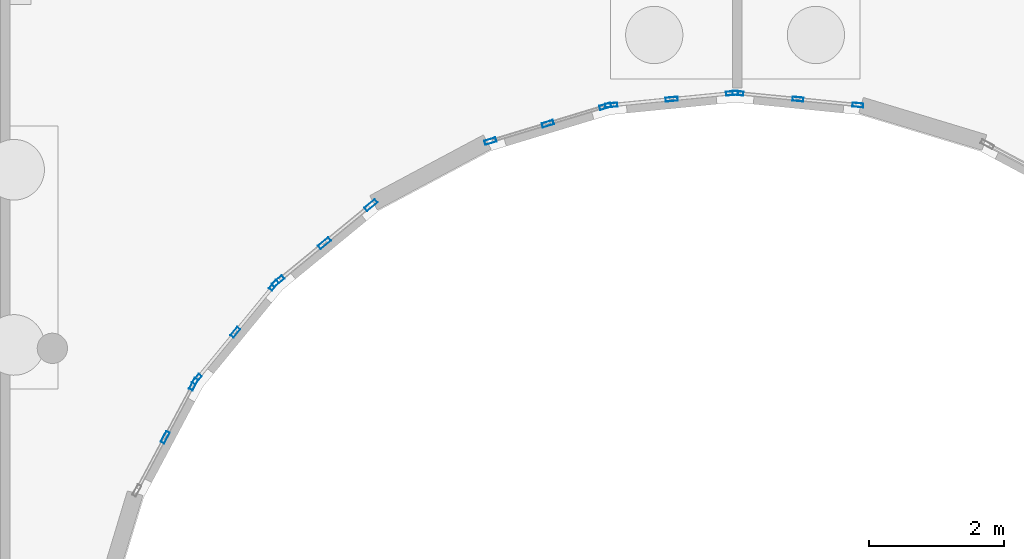
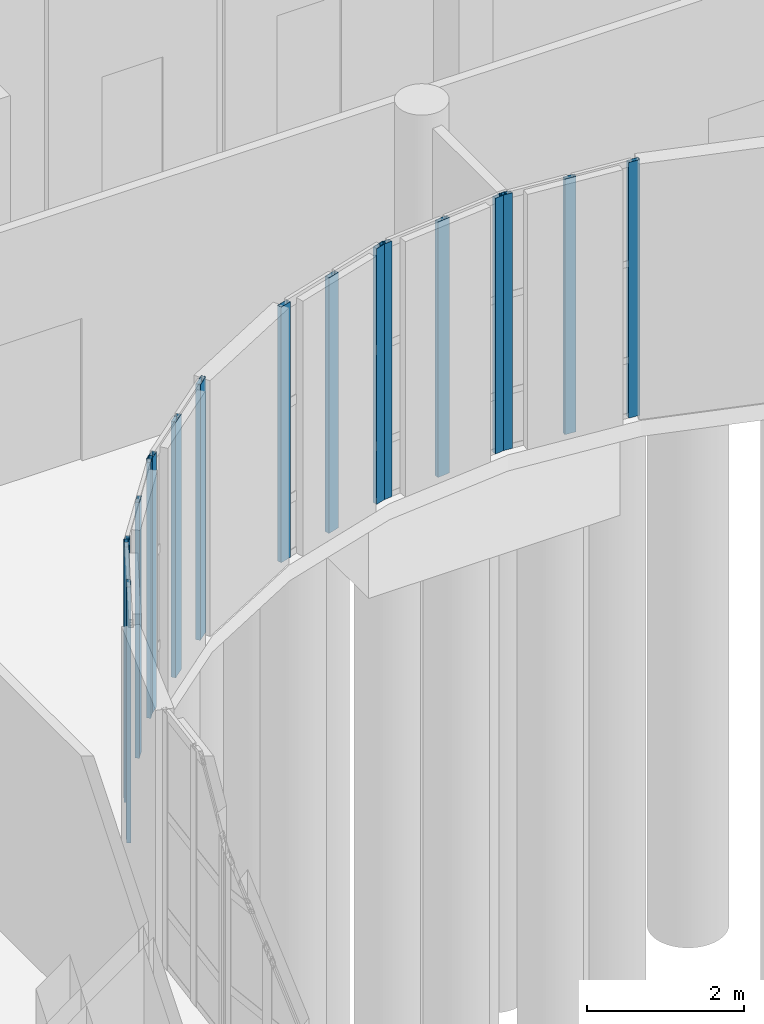
# One storey, part 37 of 93: 17 members, 6 elements without a shape of their own.
"""IFC4 building model written with IfcOpenShell, lengths in metres."""

from ifc_helpers import new_model, si_unit, direction, frame, origin, origin_2d, place, context, subcontext, project, spatial, hollow_rectangle, extrude, material, layer, layer_set, material_profile, profile_set, type_object, element, aggregate, save


model = new_model("IFC4")

# Units and contexts
model_context = context("Model", 3, precision=1e-05, world=origin(), true_north=direction((0.0, 1.0)))
body_context = subcontext(model_context, "Body", "Model", "MODEL_VIEW")
ifc_project = project(units=[si_unit("LENGTHUNIT", "METRE"), si_unit("AREAUNIT", "SQUARE_METRE"), si_unit("VOLUMEUNIT", "CUBIC_METRE"), si_unit("PLANEANGLEUNIT", "RADIAN"), si_unit("MASSUNIT", "GRAM", prefix="KILO")], contexts=[model_context])

# Site, building, storey
site_placement = place(None, origin())
site = spatial("IfcSite", under=ifc_project, at=site_placement, CompositionType="ELEMENT")
building_placement = place(site_placement, origin())
building = spatial("IfcBuilding", under=site, at=building_placement, Name="Kelanivale Promenade Academy", CompositionType="ELEMENT")
storey_placement = place(building_placement, origin())
storey = spatial("IfcBuildingStorey", under=building, at=storey_placement, Name="L00", CompositionType="ELEMENT", Elevation=0.0)

# Curtain wall, members
ifc_material_1 = material(Name="Bronze anodised aluminium and solar-control low-E glass", Category="aluminium")
ifc_layer_1 = layer(ifc_material_1, 0.179931640625)
ifc_layer_set_1 = layer_set([ifc_layer_1], Name="Bronze anodised aluminium and solar-control low-E glass")
curtain_wall_type_1 = type_object("IfcCurtainWallType", Name="CW-05 Curtain Wall 1950mm Module", PredefinedType="USERDEFINED", material=ifc_layer_set_1)
curtain_wall_1_placement = place(storey_placement, origin())
curtain_wall_1 = element("IfcCurtainWall", 1, at=curtain_wall_1_placement, inside=storey, type_object=curtain_wall_type_1, Name="L00 courtyard curtain wall CW-05", ObjectType="UNITISED GLAZING", PredefinedType="USERDEFINED")
ifc_material_2 = material(Name="Bronze anodised aluminium EN AW-6063 T6", Category="aluminium")
ifc_material_profile_1 = material_profile(ifc_material_2, hollow_rectangle(XDim=0.06005859375, YDim=0.159912109375, WallThickness=0.00390625, at=origin_2d()), Name="ALU 60x160x4.0")
ifc_profile_set_1 = profile_set([ifc_material_profile_1], Name="Bronze anodised aluminium EN AW-6063 T6")
member_type_1 = type_object("IfcMemberType", Name="CWM-01 ALU 60x160x4.0", PredefinedType="MULLION", material=ifc_profile_set_1)
member_1_placement = place(storey_placement, frame((100.6220703125, 66.260009765625, 0.0), z_axis=(0.0, 0.0, 1.0), x_axis=(-0.098538762159, -0.99513321337, 0.0)))
member_1 = element("IfcMember", 2, at=member_1_placement, type_object=member_type_1, Name="CW-05 mullion 1", PredefinedType="MULLION", context=body_context, shape_type="SweptSolid", body=[
    extrude(hollow_rectangle(XDim=0.06005859375, YDim=0.159912109375, WallThickness=0.00390625, at=origin_2d()), origin(), (0.0, 0.0, 1.0), 3.97998046875),
])
member_2_placement = place(storey_placement, frame((99.73291015625, 66.347900390625, 0.0), z_axis=(0.0, 0.0, 1.0), x_axis=(-0.098538762159, -0.99513321337, 0.0)))
member_2 = element("IfcMember", 3, at=member_2_placement, type_object=member_type_1, Name="CW-05 mullion 2", PredefinedType="MULLION", context=body_context, shape_type="SweptSolid", body=[
    extrude(hollow_rectangle(XDim=0.06005859375, YDim=0.159912109375, WallThickness=0.00390625, at=origin_2d()), origin(), (0.0, 0.0, 1.0), 3.97998046875),
])
member_3_placement = place(storey_placement, frame((98.84375, 66.43603515625, 0.0), z_axis=(0.0, 0.0, 1.0), x_axis=(-0.098538762159, -0.99513321337, 0.0)))
member_3 = element("IfcMember", 4, at=member_3_placement, type_object=member_type_1, Name="CW-05 mullion 3", PredefinedType="MULLION", context=body_context, shape_type="SweptSolid", body=[
    extrude(hollow_rectangle(XDim=0.06005859375, YDim=0.159912109375, WallThickness=0.00390625, at=origin_2d()), origin(), (0.0, 0.0, 1.0), 3.97998046875),
])
aggregate(curtain_wall_1, [member_1, member_2, member_3])

ifc_layer_2 = layer(ifc_material_1, 0.159912109375)
ifc_layer_set_2 = layer_set([ifc_layer_2], Name="Bronze anodised aluminium and solar-control low-E glass")
curtain_wall_type_2 = type_object("IfcCurtainWallType", Name="CW-09 Curtain Wall 1650mm Module", PredefinedType="USERDEFINED", material=ifc_layer_set_2)
curtain_wall_2_placement = place(storey_placement, origin())
curtain_wall_2 = element("IfcCurtainWall", 5, at=curtain_wall_2_placement, inside=storey, type_object=curtain_wall_type_2, Name="L00 courtyard curtain wall CW-09", ObjectType="UNITISED GLAZING", PredefinedType="USERDEFINED")
member_4_placement = place(storey_placement, frame((91.955078125, 63.583740234375, 0.0), z_axis=(0.0, 0.0, 1.0), x_axis=(0.773215132597, -0.634143799719, 0.0)))
member_4 = element("IfcMember", 6, at=member_4_placement, type_object=member_type_1, Name="CW-09 mullion 1", PredefinedType="MULLION", context=body_context, shape_type="SweptSolid", body=[
    extrude(hollow_rectangle(XDim=0.06005859375, YDim=0.159912109375, WallThickness=0.00390625, at=origin_2d()), origin(), (0.0, 0.0, 1.0), 3.97998046875),
])
member_5_placement = place(storey_placement, frame((91.383544921875, 62.886962890625, 0.0), z_axis=(0.0, 0.0, 1.0), x_axis=(0.773215132597, -0.634143799719, 0.0)))
member_5 = element("IfcMember", 7, at=member_5_placement, type_object=member_type_1, Name="CW-09 mullion 2", PredefinedType="MULLION", context=body_context, shape_type="SweptSolid", body=[
    extrude(hollow_rectangle(XDim=0.06005859375, YDim=0.159912109375, WallThickness=0.00390625, at=origin_2d()), origin(), (0.0, 0.0, 1.0), 3.97998046875),
])
member_6_placement = place(storey_placement, frame((90.81201171875, 62.190185546875, 0.0), z_axis=(0.0, 0.0, 1.0), x_axis=(0.773215132597, -0.634143799719, 0.0)))
member_6 = element("IfcMember", 8, at=member_6_placement, type_object=member_type_1, Name="CW-09 mullion 3", PredefinedType="MULLION", context=body_context, shape_type="SweptSolid", body=[
    extrude(hollow_rectangle(XDim=0.06005859375, YDim=0.159912109375, WallThickness=0.00390625, at=origin_2d()), origin(), (0.0, 0.0, 1.0), 3.97998046875),
])
aggregate(curtain_wall_2, [member_4, member_5, member_6])

ifc_layer_3 = layer(ifc_material_1, 0.159912109375)
ifc_layer_set_3 = layer_set([ifc_layer_3], Name="Bronze anodised aluminium and solar-control low-E glass")
curtain_wall_type_3 = type_object("IfcCurtainWallType", Name="CW-06 Curtain Wall 1200mm Module", PredefinedType="USERDEFINED", material=ifc_layer_set_3)
curtain_wall_3_placement = place(storey_placement, origin())
curtain_wall_3 = element("IfcCurtainWall", 9, at=curtain_wall_3_placement, inside=storey, type_object=curtain_wall_type_3, Name="L00 courtyard curtain wall CW-06", ObjectType="UNITISED GLAZING", PredefinedType="USERDEFINED")
ifc_material_profile_2 = material_profile(ifc_material_2, hollow_rectangle(XDim=0.06005859375, YDim=0.179931640625, WallThickness=0.00390625, at=origin_2d()), Name="ALU 60x180x4.0")
ifc_profile_set_2 = profile_set([ifc_material_profile_2], Name="Bronze anodised aluminium EN AW-6063 T6")
member_type_2 = type_object("IfcMemberType", Name="CWM-02 ALU 60x180x4.0", PredefinedType="MULLION", material=ifc_profile_set_2)
member_7_placement = place(storey_placement, frame((98.756103515625, 66.43603515625, 0.0), z_axis=(0.0, 0.0, 1.0), x_axis=(0.098280652454, -0.995158737767, 0.0)))
member_7 = element("IfcMember", 10, at=member_7_placement, type_object=member_type_2, Name="CW-06 mullion 1", PredefinedType="MULLION", context=body_context, shape_type="SweptSolid", body=[
    extrude(hollow_rectangle(XDim=0.06005859375, YDim=0.179931640625, WallThickness=0.00390625, at=origin_2d()), origin(), (0.0, 0.0, 1.0), 3.97998046875),
])
member_8_placement = place(storey_placement, frame((97.859619140625, 66.347412109375, 0.0), z_axis=(0.0, 0.0, 1.0), x_axis=(0.098280652454, -0.995158737767, 0.0)))
member_8 = element("IfcMember", 11, at=member_8_placement, type_object=member_type_2, Name="CW-06 mullion 2", PredefinedType="MULLION", context=body_context, shape_type="SweptSolid", body=[
    extrude(hollow_rectangle(XDim=0.06005859375, YDim=0.179931640625, WallThickness=0.00390625, at=origin_2d()), origin(), (0.0, 0.0, 1.0), 3.97998046875),
])
member_9_placement = place(storey_placement, frame((96.962890625, 66.259033203125, 0.0), z_axis=(0.0, 0.0, 1.0), x_axis=(0.098280652454, -0.995158737767, 0.0)))
member_9 = element("IfcMember", 12, at=member_9_placement, type_object=member_type_2, Name="CW-06 mullion 3", PredefinedType="MULLION", context=body_context, shape_type="SweptSolid", body=[
    extrude(hollow_rectangle(XDim=0.06005859375, YDim=0.179931640625, WallThickness=0.00390625, at=origin_2d()), origin(), (0.0, 0.0, 1.0), 3.97998046875),
])
aggregate(curtain_wall_3, [member_7, member_8, member_9])

ifc_layer_4 = layer(ifc_material_1, 0.169921875)
ifc_layer_set_4 = layer_set([ifc_layer_4], Name="Bronze anodised aluminium and solar-control low-E glass")
curtain_wall_type_4 = type_object("IfcCurtainWallType", Name="CW-10 Curtain Wall 1800mm Module", PredefinedType="USERDEFINED", material=ifc_layer_set_4)
curtain_wall_4_placement = place(storey_placement, origin())
curtain_wall_4 = element("IfcCurtainWall", 13, at=curtain_wall_4_placement, inside=storey, type_object=curtain_wall_type_4, Name="L00 courtyard curtain wall CW-10", ObjectType="UNITISED GLAZING", PredefinedType="USERDEFINED")
member_10_placement = place(storey_placement, frame((90.763916015625, 62.117431640625, 0.0), z_axis=(0.0, 0.0, 1.0), x_axis=(0.881978204448, -0.471290193914, 0.0)))
member_10 = element("IfcMember", 14, at=member_10_placement, type_object=member_type_2, Name="CW-10 mullion 1", PredefinedType="MULLION", context=body_context, shape_type="SweptSolid", body=[
    extrude(hollow_rectangle(XDim=0.06005859375, YDim=0.179931640625, WallThickness=0.00390625, at=origin_2d()), origin(), (0.0, 0.0, 1.0), 3.97998046875),
])
member_11_placement = place(storey_placement, frame((90.342529296875, 61.3291015625, 0.0), z_axis=(0.0, 0.0, 1.0), x_axis=(0.881978204448, -0.471290193914, 0.0)))
member_11 = element("IfcMember", 15, at=member_11_placement, type_object=member_type_2, Name="CW-10 mullion 2", PredefinedType="MULLION", context=body_context, shape_type="SweptSolid", body=[
    extrude(hollow_rectangle(XDim=0.06005859375, YDim=0.179931640625, WallThickness=0.00390625, at=origin_2d()), origin(), (0.0, 0.0, 1.0), 3.97998046875),
])
aggregate(curtain_wall_4, [member_10, member_11])

ifc_layer_5 = layer(ifc_material_1, 0.169921875)
ifc_layer_set_5 = layer_set([ifc_layer_5], Name="Bronze anodised aluminium and solar-control low-E glass")
curtain_wall_type_5 = type_object("IfcCurtainWallType", Name="CW-07 Curtain Wall 1350mm Module", PredefinedType="USERDEFINED", material=ifc_layer_set_5)
curtain_wall_5_placement = place(storey_placement, origin())
curtain_wall_5 = element("IfcCurtainWall", 16, at=curtain_wall_5_placement, inside=storey, type_object=curtain_wall_type_5, Name="L00 courtyard curtain wall CW-07", ObjectType="UNITISED GLAZING", PredefinedType="USERDEFINED")
ifc_material_profile_3 = material_profile(ifc_material_2, hollow_rectangle(XDim=0.06494140625, YDim=0.175048828125, WallThickness=0.00390625, at=origin_2d()), Name="ALU 65x175x4.0")
ifc_profile_set_3 = profile_set([ifc_material_profile_3], Name="Bronze anodised aluminium EN AW-6063 T6")
member_type_3 = type_object("IfcMemberType", Name="CWM-03 ALU 65x175x4.0", PredefinedType="MULLION", material=ifc_profile_set_3)
member_12_placement = place(storey_placement, frame((96.875, 66.241455078125, 0.0), z_axis=(0.0, 0.0, 1.0), x_axis=(0.290127576893, -0.956987977524, 0.0)))
member_12 = element("IfcMember", 17, at=member_12_placement, type_object=member_type_3, Name="CW-07 mullion 1", PredefinedType="MULLION", context=body_context, shape_type="SweptSolid", body=[
    extrude(hollow_rectangle(XDim=0.06494140625, YDim=0.175048828125, WallThickness=0.00390625, at=origin_2d()), origin(), (0.0, 0.0, 1.0), 3.97998046875),
])
member_13_placement = place(storey_placement, frame((96.02197265625, 65.98291015625, 0.0), z_axis=(0.0, 0.0, 1.0), x_axis=(0.290127576893, -0.956987977524, 0.0)))
member_13 = element("IfcMember", 18, at=member_13_placement, type_object=member_type_3, Name="CW-07 mullion 2", PredefinedType="MULLION", context=body_context, shape_type="SweptSolid", body=[
    extrude(hollow_rectangle(XDim=0.06494140625, YDim=0.175048828125, WallThickness=0.00390625, at=origin_2d()), origin(), (0.0, 0.0, 1.0), 3.97998046875),
])
member_14_placement = place(storey_placement, frame((95.169189453125, 65.724365234375, 0.0), z_axis=(0.0, 0.0, 1.0), x_axis=(0.290127576893, -0.956987977524, 0.0)))
member_14 = element("IfcMember", 19, at=member_14_placement, type_object=member_type_3, Name="CW-07 mullion 3", PredefinedType="MULLION", context=body_context, shape_type="SweptSolid", body=[
    extrude(hollow_rectangle(XDim=0.06494140625, YDim=0.175048828125, WallThickness=0.00390625, at=origin_2d()), origin(), (0.0, 0.0, 1.0), 3.97998046875),
])
aggregate(curtain_wall_5, [member_12, member_13, member_14])

ifc_layer_6 = layer(ifc_material_1, 0.179931640625)
ifc_layer_set_6 = layer_set([ifc_layer_6], Name="Bronze anodised aluminium and solar-control low-E glass")
curtain_wall_type_6 = type_object("IfcCurtainWallType", Name="CW-08 Curtain Wall 1500mm Module", PredefinedType="USERDEFINED", material=ifc_layer_set_6)
curtain_wall_6_placement = place(storey_placement, origin())
curtain_wall_6 = element("IfcCurtainWall", 20, at=curtain_wall_6_placement, inside=storey, type_object=curtain_wall_type_6, Name="L00 courtyard curtain wall CW-08", ObjectType="UNITISED GLAZING", PredefinedType="USERDEFINED")
ifc_material_profile_4 = material_profile(ifc_material_2, hollow_rectangle(XDim=0.06494140625, YDim=0.199951171875, WallThickness=0.00439453125, at=origin_2d()), Name="ALU 65x200x4.5")
ifc_profile_set_4 = profile_set([ifc_material_profile_4], Name="Bronze anodised aluminium EN AW-6063 T6")
member_type_4 = type_object("IfcMemberType", Name="CWM-04 ALU 65x200x4.5", PredefinedType="MULLION", material=ifc_profile_set_4)
member_15_placement = place(storey_placement, frame((93.395751953125, 64.7763671875, 0.0), z_axis=(0.0, 0.0, 1.0), x_axis=(0.634092539482, -0.773257170269, 0.0)))
member_15 = element("IfcMember", 21, at=member_15_placement, type_object=member_type_4, Name="CW-08 mullion 1", PredefinedType="MULLION", context=body_context, shape_type="SweptSolid", body=[
    extrude(hollow_rectangle(XDim=0.06494140625, YDim=0.199951171875, WallThickness=0.00439453125, at=origin_2d()), origin(), (0.0, 0.0, 1.0), 3.97998046875),
])
member_16_placement = place(storey_placement, frame((92.70703125, 64.21142578125, 0.0), z_axis=(0.0, 0.0, 1.0), x_axis=(0.634092539482, -0.773257170269, 0.0)))
member_16 = element("IfcMember", 22, at=member_16_placement, type_object=member_type_4, Name="CW-08 mullion 2", PredefinedType="MULLION", context=body_context, shape_type="SweptSolid", body=[
    extrude(hollow_rectangle(XDim=0.06494140625, YDim=0.199951171875, WallThickness=0.00439453125, at=origin_2d()), origin(), (0.0, 0.0, 1.0), 3.97998046875),
])
member_17_placement = place(storey_placement, frame((92.01806640625, 63.646728515625, 0.0), z_axis=(0.0, 0.0, 1.0), x_axis=(0.634092539482, -0.773257170269, 0.0)))
member_17 = element("IfcMember", 23, at=member_17_placement, type_object=member_type_4, Name="CW-08 mullion 3", PredefinedType="MULLION", context=body_context, shape_type="SweptSolid", body=[
    extrude(hollow_rectangle(XDim=0.06494140625, YDim=0.199951171875, WallThickness=0.00439453125, at=origin_2d()), origin(), (0.0, 0.0, 1.0), 3.97998046875),
])
aggregate(curtain_wall_6, [member_15, member_16, member_17])

save(model, "model.ifc")
